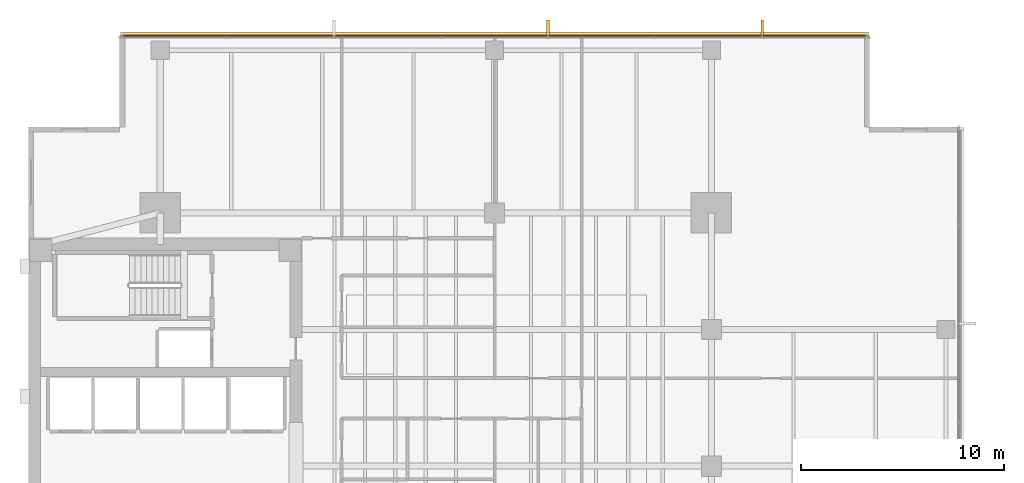
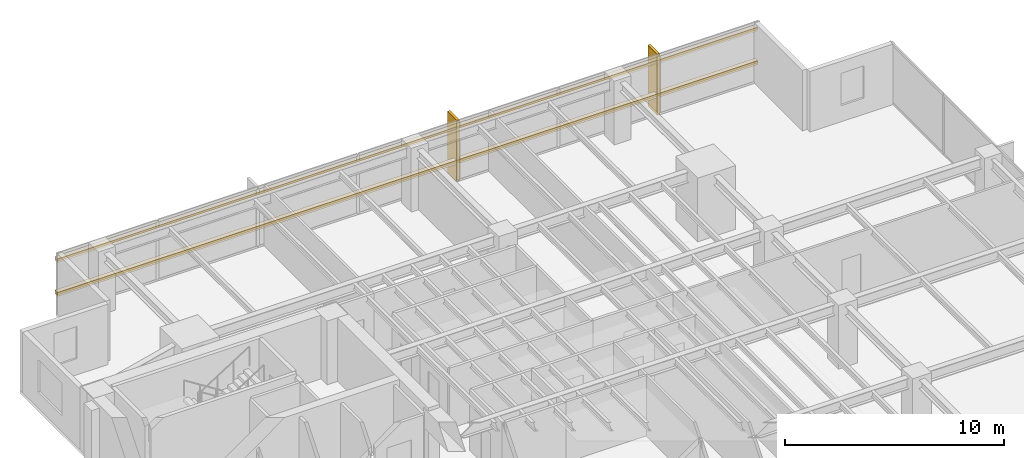
# One storey, part 14 of 14: 4 coverings, 2 shading devices.
"""IFC4 building model written with IfcOpenShell, lengths in metres."""

from ifc_helpers import new_model, si_unit, direction, frame, origin, origin_2d, place, context, subcontext, project, spatial, polyline, rectangle, outline, extrude, material, layer, layer_set, material_profile, profile_set, type_object, element, save


model = new_model("IFC4")

# Units and contexts
model_context = context("Model", 3, precision=1e-05, world=origin(), true_north=direction((0.0, 1.0)))
body_context = subcontext(model_context, "Body", "Model", "MODEL_VIEW")
ifc_project = project(units=[si_unit("LENGTHUNIT", "METRE"), si_unit("AREAUNIT", "SQUARE_METRE"), si_unit("VOLUMEUNIT", "CUBIC_METRE"), si_unit("PLANEANGLEUNIT", "RADIAN"), si_unit("MASSUNIT", "GRAM", prefix="KILO")], contexts=[model_context])

# Site, building, storey
site_placement = place(None, origin())
site = spatial("IfcSite", under=ifc_project, at=site_placement, CompositionType="ELEMENT")
building_placement = place(site_placement, origin())
building = spatial("IfcBuilding", under=site, at=building_placement, Name="Kinhvarn Gate Tower", CompositionType="ELEMENT")
storey_placement = place(building_placement, frame((0.0, 0.0, 159.050048828125)))
storey = spatial("IfcBuildingStorey", under=building, at=storey_placement, Name="L42", CompositionType="ELEMENT", Elevation=159.050048828125)

# Coverings
ifc_material = material(Name="Fired architectural terracotta", Category="masonry")
ifc_layer_1 = layer(ifc_material, 0.239990234375)
ifc_layer_set_1 = layer_set([ifc_layer_1], Name="Fired architectural terracotta")
covering_type_1 = type_object("IfcCoveringType", Name="COV-BAG-220", PredefinedType="CLADDING", material=ifc_layer_set_1)
for number, where, name in (
    (1, (0.0, 0.0, 0.93994140625), "Terracotta Horizontal Sunscreen Band TBG-220 (L42)"),
    (2, (0.0, 0.0, 2.81005859375), "Terracotta Horizontal Sunscreen Band TBG-220 (L42)"),
):
    element("IfcCovering", number, at=place(storey_placement, frame(where)), inside=storey, type_object=covering_type_1, Name=name, PredefinedType="CLADDING", context=body_context, shape_type="SweptSolid", body=[
        extrude(outline(polyline([(45.9599609375, 46.429931640625), (9.0400390625, 46.429931640625), (9.0400390625, 46.669921875), (45.9599609375, 46.669921875), (45.9599609375, 46.429931640625)])), origin(), (0.0, 0.0, 1.0), 0.219970703125),
    ])
ifc_layer_2 = layer(ifc_material, 0.139892578125)
ifc_layer_set_2 = layer_set([ifc_layer_2], Name="Fired architectural terracotta")
covering_type_2 = type_object("IfcCoveringType", Name="COV-FIN-850", PredefinedType="CLADDING", material=ifc_layer_set_2)
covering_1_placement = place(storey_placement, frame((0.0, 0.0, -0.02001953125)))
element("IfcCovering", 3, at=covering_1_placement, inside=storey, type_object=covering_type_2, Name="Vertical Terracotta Expressive Fin TFN-850 (L42)", PredefinedType="CLADDING", context=body_context, shape_type="SweptSolid", body=[
    extrude(outline(polyline([(40.7841796875, 46.419921875), (40.644287109375, 46.419921875), (40.644287109375, 47.27001953125), (40.7841796875, 47.27001953125), (40.7841796875, 46.419921875)])), origin(), (0.0, 0.0, 1.0), 3.409912109375),
])
covering_2_placement = place(storey_placement, frame((0.0, 0.0, -0.02001953125)))
element("IfcCovering", 4, at=covering_2_placement, inside=storey, type_object=covering_type_2, Name="Vertical Terracotta Expressive Fin TFN-850 (L42)", PredefinedType="CLADDING", context=body_context, shape_type="SweptSolid", body=[
    extrude(outline(polyline([(30.212890625, 46.419921875), (30.072998046875, 46.419921875), (30.072998046875, 47.27001953125), (30.212890625, 47.27001953125), (30.212890625, 46.419921875)])), origin(), (0.0, 0.0, 1.0), 3.409912109375),
])

# Shading devices
ifc_material_profile = material_profile(ifc_material, rectangle(XDim=0.050048828125, YDim=0.1201171875, at=origin_2d()), Name="TC 50x120")
ifc_profile_set = profile_set([ifc_material_profile], Name="Fired architectural terracotta")
shading_device_type = type_object("IfcShadingDeviceType", Name="SHD-BAG-140", PredefinedType="USERDEFINED", material=ifc_profile_set)
for number, where, z_axis, x_axis, name in (
    (5, (45.9599609375, 46.5, 1.050048828125), (-1.0, 0.0, 0.0), (0.0, -1.0, 0.0), "Upper Tower Terracotta Baguette Screen Rod 50x120 mm (L42)"),
    (6, (45.9599609375, 46.5, 2.919921875), (-1.0, 0.0, 0.0), (0.0, -1.0, 0.0), "Upper Tower Terracotta Baguette Screen Rod 50x120 mm (L42)"),
):
    element("IfcShadingDevice", number, at=place(storey_placement, frame(where, z_axis=z_axis, x_axis=x_axis)), inside=storey, type_object=shading_device_type, Name=name, ObjectType="BAGUETTE", PredefinedType="USERDEFINED", context=body_context, shape_type="SweptSolid", body=[
        extrude(rectangle(XDim=0.050048828125, YDim=0.1201171875, at=origin_2d()), origin(), (0.0, 0.0, 1.0), 36.919921875),
    ])

save(model, "model.ifc")
